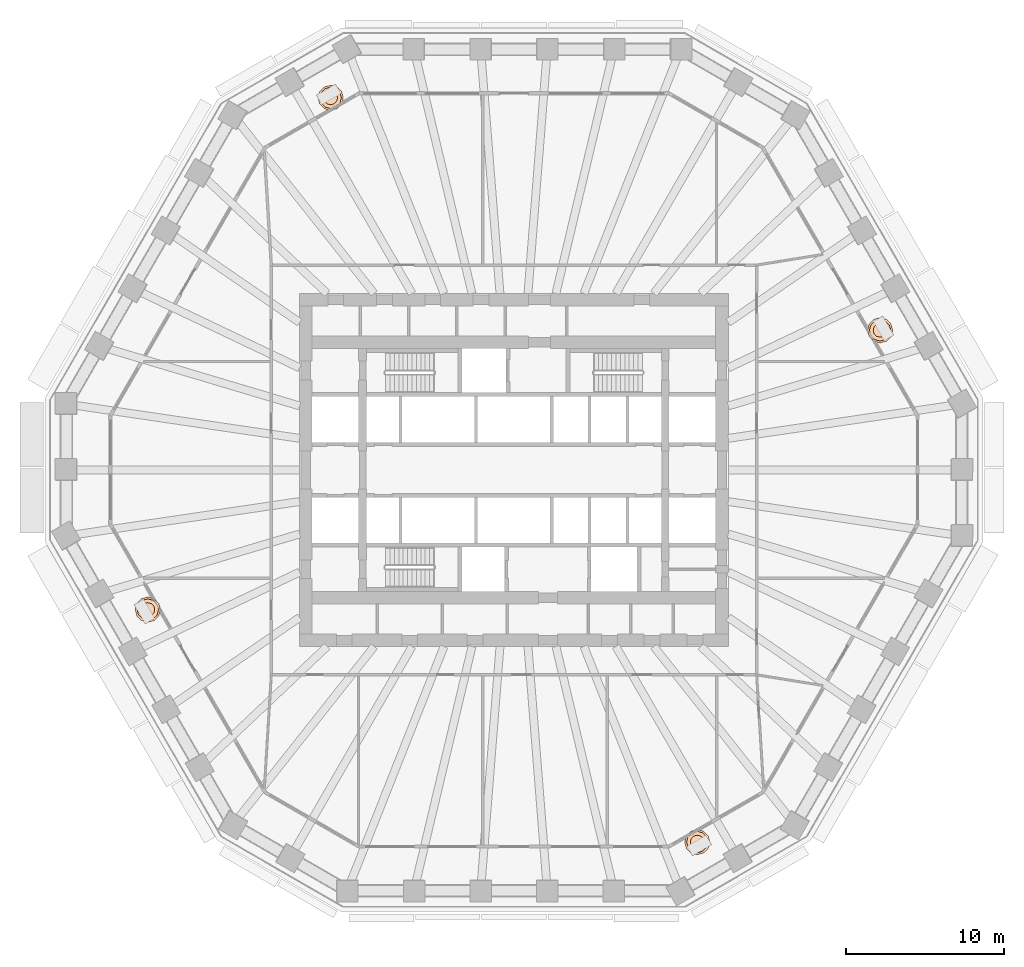
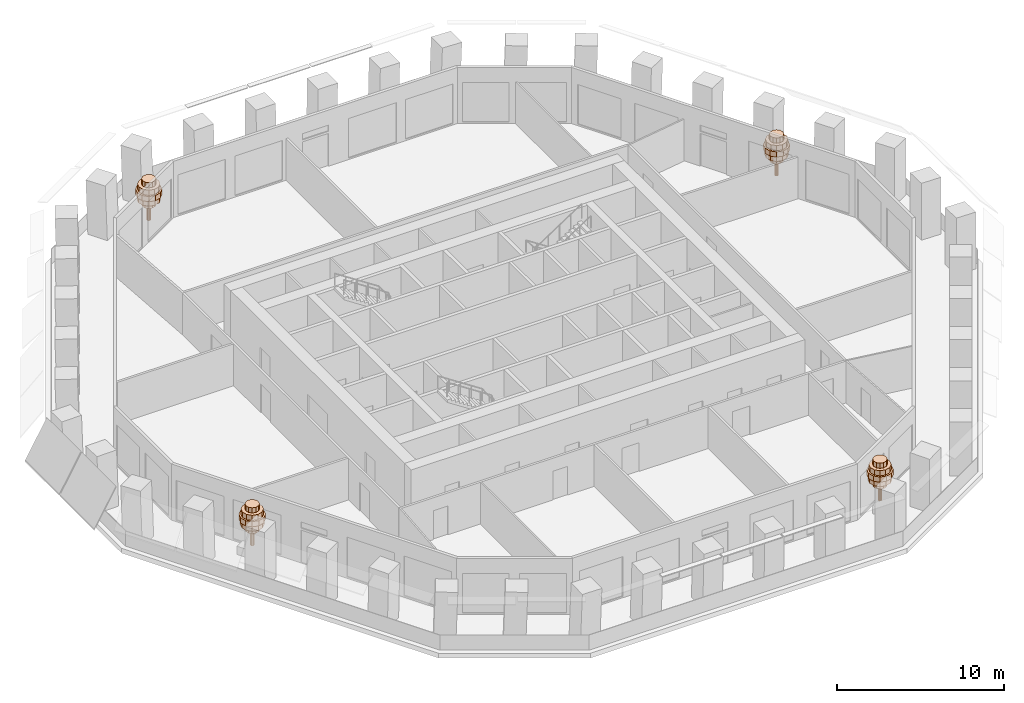
# One storey, part 12 of 12: 4 geographic elements.
"""IFC4 building model written with IfcOpenShell, lengths in metres."""

from ifc_helpers import new_model, si_unit, direction, frame, origin, place, context, subcontext, project, spatial, polyline, outline, extrude, material, type_object, element, save


model = new_model("IFC4")

# Units and contexts
model_context = context("Model", 3, precision=1e-05, world=origin(), true_north=direction((0.0, 1.0)))
body_context = subcontext(model_context, "Body", "Model", "MODEL_VIEW")
ifc_project = project(units=[si_unit("LENGTHUNIT", "METRE"), si_unit("AREAUNIT", "SQUARE_METRE"), si_unit("VOLUMEUNIT", "CUBIC_METRE"), si_unit("PLANEANGLEUNIT", "RADIAN"), si_unit("MASSUNIT", "GRAM", prefix="KILO")], contexts=[model_context])

# Site, building, storey
site_placement = place(None, origin())
site = spatial("IfcSite", under=ifc_project, at=site_placement, CompositionType="ELEMENT")
building_placement = place(site_placement, origin())
building = spatial("IfcBuilding", under=site, at=building_placement, Name="Frailejon Research Tower", CompositionType="ELEMENT")
storey_placement = place(building_placement, frame((0.0, 0.0, 80.800048828125)))
storey = spatial("IfcBuildingStorey", under=building, at=storey_placement, Name="L17", CompositionType="ELEMENT", Elevation=80.800048828125)

# Geographic elements
ifc_material = material(Name="Foliage, green")
geographic_element_type = type_object("IfcGeographicElementType", Name="Frailejon tree, loggia", PredefinedType="USERDEFINED", material=ifc_material)
geographic_element_1_placement = place(storey_placement, frame((23.232177734375, 8.860595703125, 0.599853515625)))
element("IfcGeographicElement", 1, at=geographic_element_1_placement, inside=storey, type_object=geographic_element_type, Name="Tree L17", ObjectType="TREE", PredefinedType="USERDEFINED", context=body_context, shape_type="SweptSolid", body=[
    extrude(outline(polyline([(0.1298828125, 0.0), (0.112548828125, 0.06494140625), (0.06494140625, 0.112548828125), (0.0, 0.1298828125), (-0.06494140625, 0.112548828125), (-0.112548828125, 0.06494140625), (-0.1298828125, 0.0), (-0.112548828125, -0.06494140625), (-0.06494140625, -0.112548828125), (0.0, -0.1298828125), (0.06494140625, -0.112548828125), (0.112548828125, -0.06494140625), (0.1298828125, 0.0)])), origin(), (0.0, 0.0, 1.0), 2.239990234375),
    extrude(outline(polyline([(0.43994140625, 0.0), (0.381103515625, 0.219970703125), (0.219970703125, 0.381103515625), (0.0, 0.43994140625), (-0.219970703125, 0.381103515625), (-0.381103515625, 0.219970703125), (-0.43994140625, 0.0), (-0.381103515625, -0.219970703125), (-0.219970703125, -0.381103515625), (0.0, -0.43994140625), (0.219970703125, -0.381103515625), (0.381103515625, -0.219970703125), (0.43994140625, 0.0)])), frame((0.0, 0.0, 1.10009765625)), (0.0, 0.0, 1.0), 0.3798828125),
    extrude(outline(polyline([(0.719970703125, 0.0), (0.62353515625, 0.360107421875), (0.360107421875, 0.62353515625), (0.0, 0.719970703125), (-0.360107421875, 0.62353515625), (-0.62353515625, 0.360107421875), (-0.719970703125, 0.0), (-0.62353515625, -0.360107421875), (-0.360107421875, -0.62353515625), (0.0, -0.719970703125), (0.360107421875, -0.62353515625), (0.62353515625, -0.360107421875), (0.719970703125, 0.0)])), frame((0.0, 0.0, 1.47998046875)), (0.0, 0.0, 1.0), 0.3798828125),
    extrude(outline(polyline([(0.800048828125, 0.0), (0.69287109375, 0.39990234375), (0.39990234375, 0.69287109375), (0.0, 0.800048828125), (-0.39990234375, 0.69287109375), (-0.69287109375, 0.39990234375), (-0.800048828125, 0.0), (-0.69287109375, -0.39990234375), (-0.39990234375, -0.69287109375), (0.0, -0.800048828125), (0.39990234375, -0.69287109375), (0.69287109375, -0.39990234375), (0.800048828125, 0.0)])), frame((0.0, 0.0, 1.860107421875)), (0.0, 0.0, 1.0), 0.3798828125),
    extrude(outline(polyline([(0.679931640625, 0.0), (0.5888671875, 0.340087890625), (0.340087890625, 0.5888671875), (0.0, 0.679931640625), (-0.340087890625, 0.5888671875), (-0.5888671875, 0.340087890625), (-0.679931640625, 0.0), (-0.5888671875, -0.340087890625), (-0.340087890625, -0.5888671875), (0.0, -0.679931640625), (0.340087890625, -0.5888671875), (0.5888671875, -0.340087890625), (0.679931640625, 0.0)])), frame((0.0, 0.0, 2.239990234375)), (0.0, 0.0, 1.0), 0.3798828125),
    extrude(outline(polyline([(0.43994140625, 0.0), (0.381103515625, 0.219970703125), (0.219970703125, 0.381103515625), (0.0, 0.43994140625), (-0.219970703125, 0.381103515625), (-0.381103515625, 0.219970703125), (-0.43994140625, 0.0), (-0.381103515625, -0.219970703125), (-0.219970703125, -0.381103515625), (0.0, -0.43994140625), (0.219970703125, -0.381103515625), (0.381103515625, -0.219970703125), (0.43994140625, 0.0)])), frame((0.0, 0.0, 2.6201171875)), (0.0, 0.0, 1.0), 0.3798828125),
])
geographic_element_2_placement = place(storey_placement, frame((-11.63134765625, 23.6103515625, 0.599853515625)))
element("IfcGeographicElement", 2, at=geographic_element_2_placement, inside=storey, type_object=geographic_element_type, Name="Tree L17", ObjectType="TREE", PredefinedType="USERDEFINED", context=body_context, shape_type="SweptSolid", body=[
    extrude(outline(polyline([(0.1298828125, 0.0), (0.112548828125, 0.06494140625), (0.06494140625, 0.112548828125), (0.0, 0.1298828125), (-0.06494140625, 0.112548828125), (-0.112548828125, 0.06494140625), (-0.1298828125, 0.0), (-0.112548828125, -0.06494140625), (-0.06494140625, -0.112548828125), (0.0, -0.1298828125), (0.06494140625, -0.112548828125), (0.112548828125, -0.06494140625), (0.1298828125, 0.0)])), origin(), (0.0, 0.0, 1.0), 2.239990234375),
    extrude(outline(polyline([(0.43994140625, 0.0), (0.381103515625, 0.219970703125), (0.219970703125, 0.381103515625), (0.0, 0.43994140625), (-0.219970703125, 0.381103515625), (-0.381103515625, 0.219970703125), (-0.43994140625, 0.0), (-0.381103515625, -0.219970703125), (-0.219970703125, -0.381103515625), (0.0, -0.43994140625), (0.219970703125, -0.381103515625), (0.381103515625, -0.219970703125), (0.43994140625, 0.0)])), frame((0.0, 0.0, 1.10009765625)), (0.0, 0.0, 1.0), 0.3798828125),
    extrude(outline(polyline([(0.719970703125, 0.0), (0.62353515625, 0.360107421875), (0.360107421875, 0.62353515625), (0.0, 0.719970703125), (-0.360107421875, 0.62353515625), (-0.62353515625, 0.360107421875), (-0.719970703125, 0.0), (-0.62353515625, -0.360107421875), (-0.360107421875, -0.62353515625), (0.0, -0.719970703125), (0.360107421875, -0.62353515625), (0.62353515625, -0.360107421875), (0.719970703125, 0.0)])), frame((0.0, 0.0, 1.47998046875)), (0.0, 0.0, 1.0), 0.3798828125),
    extrude(outline(polyline([(0.800048828125, 0.0), (0.69287109375, 0.39990234375), (0.39990234375, 0.69287109375), (0.0, 0.800048828125), (-0.39990234375, 0.69287109375), (-0.69287109375, 0.39990234375), (-0.800048828125, 0.0), (-0.69287109375, -0.39990234375), (-0.39990234375, -0.69287109375), (0.0, -0.800048828125), (0.39990234375, -0.69287109375), (0.69287109375, -0.39990234375), (0.800048828125, 0.0)])), frame((0.0, 0.0, 1.860107421875)), (0.0, 0.0, 1.0), 0.3798828125),
    extrude(outline(polyline([(0.679931640625, 0.0), (0.5888671875, 0.340087890625), (0.340087890625, 0.5888671875), (0.0, 0.679931640625), (-0.340087890625, 0.5888671875), (-0.5888671875, 0.340087890625), (-0.679931640625, 0.0), (-0.5888671875, -0.340087890625), (-0.340087890625, -0.5888671875), (0.0, -0.679931640625), (0.340087890625, -0.5888671875), (0.5888671875, -0.340087890625), (0.679931640625, 0.0)])), frame((0.0, 0.0, 2.239990234375)), (0.0, 0.0, 1.0), 0.3798828125),
    extrude(outline(polyline([(0.43994140625, 0.0), (0.381103515625, 0.219970703125), (0.219970703125, 0.381103515625), (0.0, 0.43994140625), (-0.219970703125, 0.381103515625), (-0.381103515625, 0.219970703125), (-0.43994140625, 0.0), (-0.381103515625, -0.219970703125), (-0.219970703125, -0.381103515625), (0.0, -0.43994140625), (0.219970703125, -0.381103515625), (0.381103515625, -0.219970703125), (0.43994140625, 0.0)])), frame((0.0, 0.0, 2.6201171875)), (0.0, 0.0, 1.0), 0.3798828125),
])
geographic_element_3_placement = place(storey_placement, frame((-23.232177734375, -8.860595703125, 0.599853515625)))
element("IfcGeographicElement", 3, at=geographic_element_3_placement, inside=storey, type_object=geographic_element_type, Name="Tree L17", ObjectType="TREE", PredefinedType="USERDEFINED", context=body_context, shape_type="SweptSolid", body=[
    extrude(outline(polyline([(0.1298828125, 0.0), (0.112548828125, 0.06494140625), (0.06494140625, 0.112548828125), (0.0, 0.1298828125), (-0.06494140625, 0.112548828125), (-0.112548828125, 0.06494140625), (-0.1298828125, 0.0), (-0.112548828125, -0.06494140625), (-0.06494140625, -0.112548828125), (0.0, -0.1298828125), (0.06494140625, -0.112548828125), (0.112548828125, -0.06494140625), (0.1298828125, 0.0)])), origin(), (0.0, 0.0, 1.0), 2.239990234375),
    extrude(outline(polyline([(0.43994140625, 0.0), (0.381103515625, 0.219970703125), (0.219970703125, 0.381103515625), (0.0, 0.43994140625), (-0.219970703125, 0.381103515625), (-0.381103515625, 0.219970703125), (-0.43994140625, 0.0), (-0.381103515625, -0.219970703125), (-0.219970703125, -0.381103515625), (0.0, -0.43994140625), (0.219970703125, -0.381103515625), (0.381103515625, -0.219970703125), (0.43994140625, 0.0)])), frame((0.0, 0.0, 1.10009765625)), (0.0, 0.0, 1.0), 0.3798828125),
    extrude(outline(polyline([(0.719970703125, 0.0), (0.62353515625, 0.360107421875), (0.360107421875, 0.62353515625), (0.0, 0.719970703125), (-0.360107421875, 0.62353515625), (-0.62353515625, 0.360107421875), (-0.719970703125, 0.0), (-0.62353515625, -0.360107421875), (-0.360107421875, -0.62353515625), (0.0, -0.719970703125), (0.360107421875, -0.62353515625), (0.62353515625, -0.360107421875), (0.719970703125, 0.0)])), frame((0.0, 0.0, 1.47998046875)), (0.0, 0.0, 1.0), 0.3798828125),
    extrude(outline(polyline([(0.800048828125, 0.0), (0.69287109375, 0.39990234375), (0.39990234375, 0.69287109375), (0.0, 0.800048828125), (-0.39990234375, 0.69287109375), (-0.69287109375, 0.39990234375), (-0.800048828125, 0.0), (-0.69287109375, -0.39990234375), (-0.39990234375, -0.69287109375), (0.0, -0.800048828125), (0.39990234375, -0.69287109375), (0.69287109375, -0.39990234375), (0.800048828125, 0.0)])), frame((0.0, 0.0, 1.860107421875)), (0.0, 0.0, 1.0), 0.3798828125),
    extrude(outline(polyline([(0.679931640625, 0.0), (0.5888671875, 0.340087890625), (0.340087890625, 0.5888671875), (0.0, 0.679931640625), (-0.340087890625, 0.5888671875), (-0.5888671875, 0.340087890625), (-0.679931640625, 0.0), (-0.5888671875, -0.340087890625), (-0.340087890625, -0.5888671875), (0.0, -0.679931640625), (0.340087890625, -0.5888671875), (0.5888671875, -0.340087890625), (0.679931640625, 0.0)])), frame((0.0, 0.0, 2.239990234375)), (0.0, 0.0, 1.0), 0.3798828125),
    extrude(outline(polyline([(0.43994140625, 0.0), (0.381103515625, 0.219970703125), (0.219970703125, 0.381103515625), (0.0, 0.43994140625), (-0.219970703125, 0.381103515625), (-0.381103515625, 0.219970703125), (-0.43994140625, 0.0), (-0.381103515625, -0.219970703125), (-0.219970703125, -0.381103515625), (0.0, -0.43994140625), (0.219970703125, -0.381103515625), (0.381103515625, -0.219970703125), (0.43994140625, 0.0)])), frame((0.0, 0.0, 2.6201171875)), (0.0, 0.0, 1.0), 0.3798828125),
])
geographic_element_4_placement = place(storey_placement, frame((11.63134765625, -23.6103515625, 0.599853515625)))
element("IfcGeographicElement", 4, at=geographic_element_4_placement, inside=storey, type_object=geographic_element_type, Name="Tree L17", ObjectType="TREE", PredefinedType="USERDEFINED", context=body_context, shape_type="SweptSolid", body=[
    extrude(outline(polyline([(0.1298828125, 0.0), (0.112548828125, 0.06494140625), (0.06494140625, 0.112548828125), (0.0, 0.1298828125), (-0.06494140625, 0.112548828125), (-0.112548828125, 0.06494140625), (-0.1298828125, 0.0), (-0.112548828125, -0.06494140625), (-0.06494140625, -0.112548828125), (0.0, -0.1298828125), (0.06494140625, -0.112548828125), (0.112548828125, -0.06494140625), (0.1298828125, 0.0)])), origin(), (0.0, 0.0, 1.0), 2.239990234375),
    extrude(outline(polyline([(0.43994140625, 0.0), (0.381103515625, 0.219970703125), (0.219970703125, 0.381103515625), (0.0, 0.43994140625), (-0.219970703125, 0.381103515625), (-0.381103515625, 0.219970703125), (-0.43994140625, 0.0), (-0.381103515625, -0.219970703125), (-0.219970703125, -0.381103515625), (0.0, -0.43994140625), (0.219970703125, -0.381103515625), (0.381103515625, -0.219970703125), (0.43994140625, 0.0)])), frame((0.0, 0.0, 1.10009765625)), (0.0, 0.0, 1.0), 0.3798828125),
    extrude(outline(polyline([(0.719970703125, 0.0), (0.62353515625, 0.360107421875), (0.360107421875, 0.62353515625), (0.0, 0.719970703125), (-0.360107421875, 0.62353515625), (-0.62353515625, 0.360107421875), (-0.719970703125, 0.0), (-0.62353515625, -0.360107421875), (-0.360107421875, -0.62353515625), (0.0, -0.719970703125), (0.360107421875, -0.62353515625), (0.62353515625, -0.360107421875), (0.719970703125, 0.0)])), frame((0.0, 0.0, 1.47998046875)), (0.0, 0.0, 1.0), 0.3798828125),
    extrude(outline(polyline([(0.800048828125, 0.0), (0.69287109375, 0.39990234375), (0.39990234375, 0.69287109375), (0.0, 0.800048828125), (-0.39990234375, 0.69287109375), (-0.69287109375, 0.39990234375), (-0.800048828125, 0.0), (-0.69287109375, -0.39990234375), (-0.39990234375, -0.69287109375), (0.0, -0.800048828125), (0.39990234375, -0.69287109375), (0.69287109375, -0.39990234375), (0.800048828125, 0.0)])), frame((0.0, 0.0, 1.860107421875)), (0.0, 0.0, 1.0), 0.3798828125),
    extrude(outline(polyline([(0.679931640625, 0.0), (0.5888671875, 0.340087890625), (0.340087890625, 0.5888671875), (0.0, 0.679931640625), (-0.340087890625, 0.5888671875), (-0.5888671875, 0.340087890625), (-0.679931640625, 0.0), (-0.5888671875, -0.340087890625), (-0.340087890625, -0.5888671875), (0.0, -0.679931640625), (0.340087890625, -0.5888671875), (0.5888671875, -0.340087890625), (0.679931640625, 0.0)])), frame((0.0, 0.0, 2.239990234375)), (0.0, 0.0, 1.0), 0.3798828125),
    extrude(outline(polyline([(0.43994140625, 0.0), (0.381103515625, 0.219970703125), (0.219970703125, 0.381103515625), (0.0, 0.43994140625), (-0.219970703125, 0.381103515625), (-0.381103515625, 0.219970703125), (-0.43994140625, 0.0), (-0.381103515625, -0.219970703125), (-0.219970703125, -0.381103515625), (0.0, -0.43994140625), (0.219970703125, -0.381103515625), (0.381103515625, -0.219970703125), (0.43994140625, 0.0)])), frame((0.0, 0.0, 2.6201171875)), (0.0, 0.0, 1.0), 0.3798828125),
])

save(model, "model.ifc")
